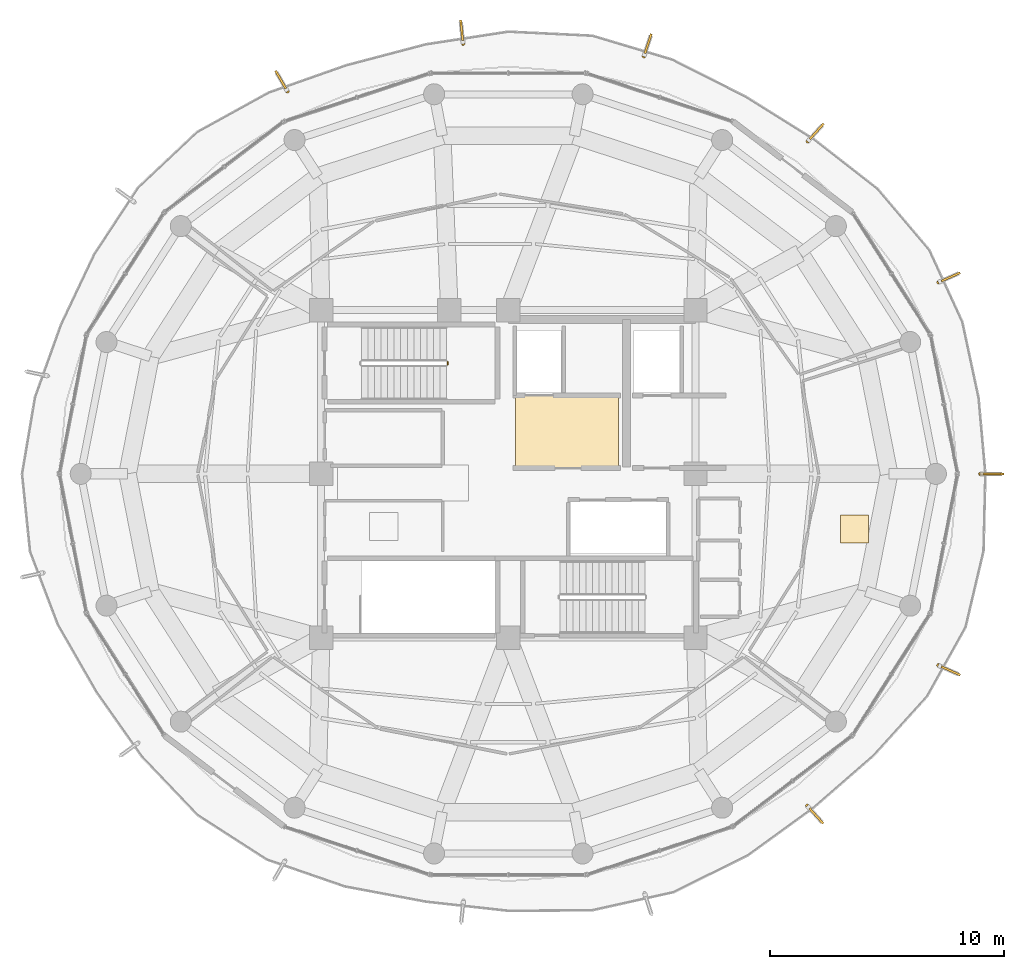
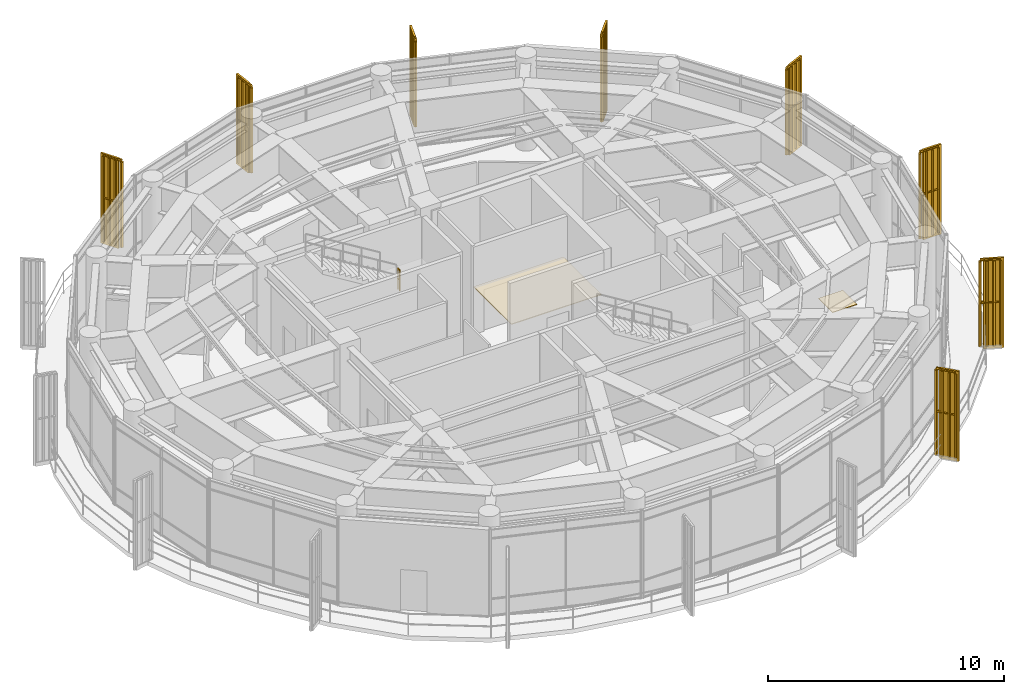
# One storey, part 23 of 23: 9 railings, 8 shading devices, 2 coverings.
"""IFC4 building model written with IfcOpenShell, lengths in metres."""

from ifc_helpers import new_model, si_unit, direction, frame, origin, origin_2d, place, context, subcontext, project, spatial, polyline, rectangle, outline, extrude, source, transform, mapped, material, layer, layer_set, type_object, element, save


model = new_model("IFC4")

# Units and contexts
model_context = context("Model", 3, precision=1e-05, world=origin(), true_north=direction((0.0, 1.0)))
body_context = subcontext(model_context, "Body", "Model", "MODEL_VIEW")
ifc_project = project(units=[si_unit("LENGTHUNIT", "METRE"), si_unit("AREAUNIT", "SQUARE_METRE"), si_unit("VOLUMEUNIT", "CUBIC_METRE"), si_unit("PLANEANGLEUNIT", "RADIAN"), si_unit("MASSUNIT", "GRAM", prefix="KILO")], contexts=[model_context])

# Site, building, storey
site_placement = place(None, origin())
site = spatial("IfcSite", under=ifc_project, at=site_placement, CompositionType="ELEMENT")
building_placement = place(site_placement, origin())
building = spatial("IfcBuilding", under=site, at=building_placement, Name="Kelanora Arch Commons", CompositionType="ELEMENT")
storey_placement = place(building_placement, frame((0.0, 0.0, 293.699951171875)))
storey = spatial("IfcBuildingStorey", under=building, at=storey_placement, Name="L75", CompositionType="ELEMENT", Elevation=293.699951171875)

# Railings
ifc_material_1 = material(Name="Anodised bronze vertical shading fin rib assembly")
railing_type_1 = type_object("IfcRailingType", Name="RAIL-FIN-BRZ", PredefinedType="BALUSTRADE", material=ifc_material_1)
railing_1_placement = place(storey_placement, frame((94.1708984375, 58.0, -0.02001953125)))
element("IfcRailing", 1, at=railing_1_placement, inside=storey, type_object=railing_type_1, Name="Sweeping Bronze Vertical Fin Blade L75-00", PredefinedType="BALUSTRADE", context=body_context, shape_type="SweptSolid", body=[
    extrude(outline(polyline([(0.06982421875, 0.0), (0.034912109375, 0.060546875), (-0.034912109375, 0.060546875), (-0.06982421875, 0.0), (-0.034912109375, -0.060546875), (0.034912109375, -0.060546875), (0.06982421875, 0.0)])), frame((0.0, 0.0, 4.47021484375), z_axis=(1.0, 0.0, 0.0), x_axis=(0.0, 1.0, 0.0)), (0.0, 0.0, 1.0), 0.8798828125),
    extrude(outline(polyline([(0.06982421875, 0.0), (0.034912109375, 0.060546875), (-0.034912109375, 0.060546875), (-0.06982421875, 0.0), (-0.034912109375, -0.060546875), (0.034912109375, -0.060546875), (0.06982421875, 0.0)])), frame((0.0, 0.0, 2.27001953125), z_axis=(1.0, 0.0, 0.0), x_axis=(0.0, 1.0, 0.0)), (0.0, 0.0, 1.0), 0.8798828125),
    extrude(outline(polyline([(0.080078125, 0.0), (0.0400390625, 0.0693359375), (-0.0400390625, 0.0693359375), (-0.080078125, 0.0), (-0.0400390625, -0.0693359375), (0.0400390625, -0.0693359375), (0.080078125, 0.0)])), origin(), (0.0, 0.0, 1.0), 4.400146484375),
    extrude(outline(polyline([(0.080078125, 0.0), (0.0400390625, 0.0693359375), (-0.0400390625, 0.0693359375), (-0.080078125, 0.0), (-0.0400390625, -0.0693359375), (0.0400390625, -0.0693359375), (0.080078125, 0.0)])), frame((0.293212890625, 0.0, 0.0)), (0.0, 0.0, 1.0), 4.400146484375),
    extrude(outline(polyline([(0.080078125, 0.0), (0.0400390625, 0.0693359375), (-0.0400390625, 0.0693359375), (-0.080078125, 0.0), (-0.0400390625, -0.0693359375), (0.0400390625, -0.0693359375), (0.080078125, 0.0)])), frame((0.586669921875, 0.0, 0.0)), (0.0, 0.0, 1.0), 4.400146484375),
    extrude(outline(polyline([(0.080078125, 0.0), (0.0400390625, 0.0693359375), (-0.0400390625, 0.0693359375), (-0.080078125, 0.0), (-0.0400390625, -0.0693359375), (0.0400390625, -0.0693359375), (0.080078125, 0.0)])), frame((0.8798828125, 0.0, 0.0)), (0.0, 0.0, 1.0), 4.400146484375),
])
railing_2_placement = place(storey_placement, frame((92.38720703125, 66.1865234375, -0.02001953125)))
element("IfcRailing", 2, at=railing_2_placement, inside=storey, type_object=railing_type_1, Name="Sweeping Bronze Vertical Fin Blade L75-01", PredefinedType="BALUSTRADE", context=body_context, shape_type="SweptSolid", body=[
    extrude(outline(polyline([(0.06982421875, 0.0), (0.034912109375, 0.060546875), (-0.034912109375, 0.060546875), (-0.06982421875, 0.0), (-0.034912109375, -0.060546875), (0.034912109375, -0.060546875), (0.06982421875, 0.0)])), frame((0.0, 0.0, 4.47021484375), z_axis=(0.913559688849, 0.406704677757, 0.0), x_axis=(-0.406704677757, 0.913559688849, 0.0)), (0.0, 0.0, 1.0), 0.880126953125),
    extrude(outline(polyline([(0.06982421875, 0.0), (0.034912109375, 0.060546875), (-0.034912109375, 0.060546875), (-0.06982421875, 0.0), (-0.034912109375, -0.060546875), (0.034912109375, -0.060546875), (0.06982421875, 0.0)])), frame((0.0, 0.0, 2.27001953125), z_axis=(0.913559688849, 0.406704677757, 0.0), x_axis=(-0.406704677757, 0.913559688849, 0.0)), (0.0, 0.0, 1.0), 0.880126953125),
    extrude(outline(polyline([(0.080078125, 0.0), (0.0400390625, 0.0693359375), (-0.0400390625, 0.0693359375), (-0.080078125, 0.0), (-0.0400390625, -0.0693359375), (0.0400390625, -0.0693359375), (0.080078125, 0.0)])), origin(), (0.0, 0.0, 1.0), 4.400146484375),
    extrude(outline(polyline([(0.080078125, 0.0), (0.0400390625, 0.0693359375), (-0.0400390625, 0.0693359375), (-0.080078125, 0.0), (-0.0400390625, -0.0693359375), (0.0400390625, -0.0693359375), (0.080078125, 0.0)])), frame((0.26806640625, 0.119384765625, 0.0)), (0.0, 0.0, 1.0), 4.400146484375),
    extrude(outline(polyline([(0.080078125, 0.0), (0.0400390625, 0.0693359375), (-0.0400390625, 0.0693359375), (-0.080078125, 0.0), (-0.0400390625, -0.0693359375), (0.0400390625, -0.0693359375), (0.080078125, 0.0)])), frame((0.535888671875, 0.238525390625, 0.0)), (0.0, 0.0, 1.0), 4.400146484375),
    extrude(outline(polyline([(0.080078125, 0.0), (0.0400390625, 0.0693359375), (-0.0400390625, 0.0693359375), (-0.080078125, 0.0), (-0.0400390625, -0.0693359375), (0.0400390625, -0.0693359375), (0.080078125, 0.0)])), frame((0.803955078125, 0.35791015625, 0.0)), (0.0, 0.0, 1.0), 4.400146484375),
])
railing_3_placement = place(storey_placement, frame((86.798583984375, 72.214111328125, -0.02001953125)))
element("IfcRailing", 3, at=railing_3_placement, inside=storey, type_object=railing_type_1, Name="Sweeping Bronze Vertical Fin Blade L75-02", PredefinedType="BALUSTRADE", context=body_context, shape_type="SweptSolid", body=[
    extrude(outline(polyline([(0.06982421875, 0.0), (0.034912109375, 0.060546875), (-0.034912109375, 0.060546875), (-0.06982421875, 0.0), (-0.034912109375, -0.060546875), (0.034912109375, -0.060546875), (0.06982421875, 0.0)])), frame((0.0, 0.0, 4.47021484375), z_axis=(0.669102656662, 0.743169990546, 0.0), x_axis=(-0.743169990546, 0.669102656662, 0.0)), (0.0, 0.0, 1.0), 0.880126953125),
    extrude(outline(polyline([(0.06982421875, 0.0), (0.034912109375, 0.060546875), (-0.034912109375, 0.060546875), (-0.06982421875, 0.0), (-0.034912109375, -0.060546875), (0.034912109375, -0.060546875), (0.06982421875, 0.0)])), frame((0.0, 0.0, 2.27001953125), z_axis=(0.669102656662, 0.743169990546, 0.0), x_axis=(-0.743169990546, 0.669102656662, 0.0)), (0.0, 0.0, 1.0), 0.880126953125),
    extrude(outline(polyline([(0.080078125, 0.0), (0.0400390625, 0.0693359375), (-0.0400390625, 0.0693359375), (-0.080078125, 0.0), (-0.0400390625, -0.0693359375), (0.0400390625, -0.0693359375), (0.080078125, 0.0)])), origin(), (0.0, 0.0, 1.0), 4.400146484375),
    extrude(outline(polyline([(0.080078125, 0.0), (0.0400390625, 0.0693359375), (-0.0400390625, 0.0693359375), (-0.080078125, 0.0), (-0.0400390625, -0.0693359375), (0.0400390625, -0.0693359375), (0.080078125, 0.0)])), frame((0.1962890625, 0.218017578125, 0.0)), (0.0, 0.0, 1.0), 4.400146484375),
    extrude(outline(polyline([(0.080078125, 0.0), (0.0400390625, 0.0693359375), (-0.0400390625, 0.0693359375), (-0.080078125, 0.0), (-0.0400390625, -0.0693359375), (0.0400390625, -0.0693359375), (0.080078125, 0.0)])), frame((0.392578125, 0.43603515625, 0.0)), (0.0, 0.0, 1.0), 4.400146484375),
    extrude(outline(polyline([(0.080078125, 0.0), (0.0400390625, 0.0693359375), (-0.0400390625, 0.0693359375), (-0.080078125, 0.0), (-0.0400390625, -0.0693359375), (0.0400390625, -0.0693359375), (0.080078125, 0.0)])), frame((0.5888671875, 0.654052734375, 0.0)), (0.0, 0.0, 1.0), 4.400146484375),
])
railing_4_placement = place(storey_placement, frame((79.79736328125, 75.842529296875, -0.02001953125)))
element("IfcRailing", 4, at=railing_4_placement, inside=storey, type_object=railing_type_1, Name="Sweeping Bronze Vertical Fin Blade L75-03", PredefinedType="BALUSTRADE", context=body_context, shape_type="SweptSolid", body=[
    extrude(outline(polyline([(0.06982421875, 0.0), (0.034912109375, 0.060546875), (-0.034912109375, 0.060546875), (-0.06982421875, 0.0), (-0.034912109375, -0.060546875), (0.034912109375, -0.060546875), (0.06982421875, 0.0)])), frame((0.0, 0.0, 4.47021484375), z_axis=(0.309060979314, 0.951042223598, 0.0), x_axis=(-0.951042223598, 0.309060979314, 0.0)), (0.0, 0.0, 1.0), 0.8798828125),
    extrude(outline(polyline([(0.06982421875, 0.0), (0.034912109375, 0.060546875), (-0.034912109375, 0.060546875), (-0.06982421875, 0.0), (-0.034912109375, -0.060546875), (0.034912109375, -0.060546875), (0.06982421875, 0.0)])), frame((0.0, 0.0, 2.27001953125), z_axis=(0.309060979314, 0.951042223598, 0.0), x_axis=(-0.951042223598, 0.309060979314, 0.0)), (0.0, 0.0, 1.0), 0.8798828125),
    extrude(outline(polyline([(0.080078125, 0.0), (0.0400390625, 0.0693359375), (-0.0400390625, 0.0693359375), (-0.080078125, 0.0), (-0.0400390625, -0.0693359375), (0.0400390625, -0.0693359375), (0.080078125, 0.0)])), origin(), (0.0, 0.0, 1.0), 4.400146484375),
    extrude(outline(polyline([(0.080078125, 0.0), (0.0400390625, 0.0693359375), (-0.0400390625, 0.0693359375), (-0.080078125, 0.0), (-0.0400390625, -0.0693359375), (0.0400390625, -0.0693359375), (0.080078125, 0.0)])), frame((0.090576171875, 0.279052734375, 0.0)), (0.0, 0.0, 1.0), 4.400146484375),
    extrude(outline(polyline([(0.080078125, 0.0), (0.0400390625, 0.0693359375), (-0.0400390625, 0.0693359375), (-0.080078125, 0.0), (-0.0400390625, -0.0693359375), (0.0400390625, -0.0693359375), (0.080078125, 0.0)])), frame((0.181396484375, 0.557861328125, 0.0)), (0.0, 0.0, 1.0), 4.400146484375),
    extrude(outline(polyline([(0.080078125, 0.0), (0.0400390625, 0.0693359375), (-0.0400390625, 0.0693359375), (-0.080078125, 0.0), (-0.0400390625, -0.0693359375), (0.0400390625, -0.0693359375), (0.080078125, 0.0)])), frame((0.27197265625, 0.8369140625, 0.0)), (0.0, 0.0, 1.0), 4.400146484375),
])
railing_5_placement = place(storey_placement, frame((72.067626953125, 76.38525390625, -0.02001953125)))
element("IfcRailing", 5, at=railing_5_placement, inside=storey, type_object=railing_type_1, Name="Sweeping Bronze Vertical Fin Blade L75-04", PredefinedType="BALUSTRADE", context=body_context, shape_type="SweptSolid", body=[
    extrude(outline(polyline([(0.06982421875, 0.0), (0.034912109375, 0.060546875), (-0.034912109375, 0.060546875), (-0.06982421875, 0.0), (-0.034912109375, -0.060546875), (0.034912109375, -0.060546875), (0.06982421875, 0.0)])), frame((0.0, 0.0, 4.47021484375), z_axis=(-0.104583700208, 0.994516088181, 0.0), x_axis=(-0.994516088181, -0.104583700208, 0.0)), (0.0, 0.0, 1.0), 0.880126953125),
    extrude(outline(polyline([(0.06982421875, 0.0), (0.034912109375, 0.060546875), (-0.034912109375, 0.060546875), (-0.06982421875, 0.0), (-0.034912109375, -0.060546875), (0.034912109375, -0.060546875), (0.06982421875, 0.0)])), frame((0.0, 0.0, 2.27001953125), z_axis=(-0.104583700208, 0.994516088181, 0.0), x_axis=(-0.994516088181, -0.104583700208, 0.0)), (0.0, 0.0, 1.0), 0.880126953125),
    extrude(outline(polyline([(0.080078125, 0.0), (0.0400390625, 0.0693359375), (-0.0400390625, 0.0693359375), (-0.080078125, 0.0), (-0.0400390625, -0.0693359375), (0.0400390625, -0.0693359375), (0.080078125, 0.0)])), origin(), (0.0, 0.0, 1.0), 4.400146484375),
    extrude(outline(polyline([(0.080078125, 0.0), (0.0400390625, 0.0693359375), (-0.0400390625, 0.0693359375), (-0.080078125, 0.0), (-0.0400390625, -0.0693359375), (0.0400390625, -0.0693359375), (0.080078125, 0.0)])), frame((-0.03076171875, 0.291748046875, 0.0)), (0.0, 0.0, 1.0), 4.400146484375),
    extrude(outline(polyline([(0.080078125, 0.0), (0.0400390625, 0.0693359375), (-0.0400390625, 0.0693359375), (-0.080078125, 0.0), (-0.0400390625, -0.0693359375), (0.0400390625, -0.0693359375), (0.080078125, 0.0)])), frame((-0.061279296875, 0.58349609375, 0.0)), (0.0, 0.0, 1.0), 4.400146484375),
    extrude(outline(polyline([(0.080078125, 0.0), (0.0400390625, 0.0693359375), (-0.0400390625, 0.0693359375), (-0.080078125, 0.0), (-0.0400390625, -0.0693359375), (0.0400390625, -0.0693359375), (0.080078125, 0.0)])), frame((-0.092041015625, 0.875244140625, 0.0)), (0.0, 0.0, 1.0), 4.400146484375),
])
railing_6_placement = place(storey_placement, frame((64.557861328125, 74.354248046875, -0.02001953125)))
element("IfcRailing", 6, at=railing_6_placement, inside=storey, type_object=railing_type_1, Name="Sweeping Bronze Vertical Fin Blade L75-05", PredefinedType="BALUSTRADE", context=body_context, shape_type="SweptSolid", body=[
    extrude(outline(polyline([(0.06982421875, 0.0), (0.034912109375, 0.060546875), (-0.034912109375, 0.060546875), (-0.06982421875, 0.0), (-0.034912109375, -0.060546875), (0.034912109375, -0.060546875), (0.06982421875, 0.0)])), frame((0.0, 0.0, 4.47021484375), z_axis=(-0.500018690203, 0.866014612722, 0.0), x_axis=(-0.866014612722, -0.500018690203, 0.0)), (0.0, 0.0, 1.0), 0.8798828125),
    extrude(outline(polyline([(0.06982421875, 0.0), (0.034912109375, 0.060546875), (-0.034912109375, 0.060546875), (-0.06982421875, 0.0), (-0.034912109375, -0.060546875), (0.034912109375, -0.060546875), (0.06982421875, 0.0)])), frame((0.0, 0.0, 2.27001953125), z_axis=(-0.500018690203, 0.866014612722, 0.0), x_axis=(-0.866014612722, -0.500018690203, 0.0)), (0.0, 0.0, 1.0), 0.8798828125),
    extrude(outline(polyline([(0.080078125, 0.0), (0.0400390625, 0.0693359375), (-0.0400390625, 0.0693359375), (-0.080078125, 0.0), (-0.0400390625, -0.0693359375), (0.0400390625, -0.0693359375), (0.080078125, 0.0)])), origin(), (0.0, 0.0, 1.0), 4.400146484375),
    extrude(outline(polyline([(0.080078125, 0.0), (0.0400390625, 0.0693359375), (-0.0400390625, 0.0693359375), (-0.080078125, 0.0), (-0.0400390625, -0.0693359375), (0.0400390625, -0.0693359375), (0.080078125, 0.0)])), frame((-0.146728515625, 0.25390625, 0.0)), (0.0, 0.0, 1.0), 4.400146484375),
    extrude(outline(polyline([(0.080078125, 0.0), (0.0400390625, 0.0693359375), (-0.0400390625, 0.0693359375), (-0.080078125, 0.0), (-0.0400390625, -0.0693359375), (0.0400390625, -0.0693359375), (0.080078125, 0.0)])), frame((-0.293212890625, 0.508056640625, 0.0)), (0.0, 0.0, 1.0), 4.400146484375),
    extrude(outline(polyline([(0.080078125, 0.0), (0.0400390625, 0.0693359375), (-0.0400390625, 0.0693359375), (-0.080078125, 0.0), (-0.0400390625, -0.0693359375), (0.0400390625, -0.0693359375), (0.080078125, 0.0)])), frame((-0.43994140625, 0.761962890625, 0.0)), (0.0, 0.0, 1.0), 4.400146484375),
])
railing_7_placement = place(storey_placement, frame((86.778564453125, 43.80810546875, -0.02001953125)))
element("IfcRailing", 7, at=railing_7_placement, inside=storey, type_object=railing_type_1, Name="Sweeping Bronze Vertical Fin Blade L75-13", PredefinedType="BALUSTRADE", context=body_context, shape_type="SweptSolid", body=[
    extrude(outline(polyline([(0.06982421875, 0.0), (0.034912109375, 0.060546875), (-0.034912109375, 0.060546875), (-0.06982421875, 0.0), (-0.034912109375, -0.060546875), (0.034912109375, -0.060546875), (0.06982421875, 0.0)])), frame((0.0, 0.0, 4.47021484375), z_axis=(0.669102656662, -0.743169990546, 0.0), x_axis=(0.743169990546, 0.669102656662, 0.0)), (0.0, 0.0, 1.0), 0.880126953125),
    extrude(outline(polyline([(0.06982421875, 0.0), (0.034912109375, 0.060546875), (-0.034912109375, 0.060546875), (-0.06982421875, 0.0), (-0.034912109375, -0.060546875), (0.034912109375, -0.060546875), (0.06982421875, 0.0)])), frame((0.0, 0.0, 2.27001953125), z_axis=(0.669102656662, -0.743169990546, 0.0), x_axis=(0.743169990546, 0.669102656662, 0.0)), (0.0, 0.0, 1.0), 0.880126953125),
    extrude(outline(polyline([(0.080078125, 0.0), (0.0400390625, 0.0693359375), (-0.0400390625, 0.0693359375), (-0.080078125, 0.0), (-0.0400390625, -0.0693359375), (0.0400390625, -0.0693359375), (0.080078125, 0.0)])), origin(), (0.0, 0.0, 1.0), 4.400146484375),
    extrude(outline(polyline([(0.080078125, 0.0), (0.0400390625, 0.0693359375), (-0.0400390625, 0.0693359375), (-0.080078125, 0.0), (-0.0400390625, -0.0693359375), (0.0400390625, -0.0693359375), (0.080078125, 0.0)])), frame((0.1962890625, -0.218017578125, 0.0)), (0.0, 0.0, 1.0), 4.400146484375),
    extrude(outline(polyline([(0.080078125, 0.0), (0.0400390625, 0.0693359375), (-0.0400390625, 0.0693359375), (-0.080078125, 0.0), (-0.0400390625, -0.0693359375), (0.0400390625, -0.0693359375), (0.080078125, 0.0)])), frame((0.392578125, -0.43603515625, 0.0)), (0.0, 0.0, 1.0), 4.400146484375),
    extrude(outline(polyline([(0.080078125, 0.0), (0.0400390625, 0.0693359375), (-0.0400390625, 0.0693359375), (-0.080078125, 0.0), (-0.0400390625, -0.0693359375), (0.0400390625, -0.0693359375), (0.080078125, 0.0)])), frame((0.5888671875, -0.654052734375, 0.0)), (0.0, 0.0, 1.0), 4.400146484375),
])
railing_8_placement = place(storey_placement, frame((92.38330078125, 49.815185546875, -0.02001953125)))
element("IfcRailing", 8, at=railing_8_placement, inside=storey, type_object=railing_type_1, Name="Sweeping Bronze Vertical Fin Blade L75-14", PredefinedType="BALUSTRADE", context=body_context, shape_type="SweptSolid", body=[
    extrude(outline(polyline([(0.06982421875, 0.0), (0.034912109375, 0.060546875), (-0.034912109375, 0.060546875), (-0.06982421875, 0.0), (-0.034912109375, -0.060546875), (0.034912109375, -0.060546875), (0.06982421875, 0.0)])), frame((0.0, 0.0, 4.47021484375), z_axis=(0.913513782933, -0.406807778184, 0.0), x_axis=(0.406807778184, 0.913513782933, 0.0)), (0.0, 0.0, 1.0), 0.8798828125),
    extrude(outline(polyline([(0.06982421875, 0.0), (0.034912109375, 0.060546875), (-0.034912109375, 0.060546875), (-0.06982421875, 0.0), (-0.034912109375, -0.060546875), (0.034912109375, -0.060546875), (0.06982421875, 0.0)])), frame((0.0, 0.0, 2.27001953125), z_axis=(0.913513782933, -0.406807778184, 0.0), x_axis=(0.406807778184, 0.913513782933, 0.0)), (0.0, 0.0, 1.0), 0.8798828125),
    extrude(outline(polyline([(0.080078125, 0.0), (0.0400390625, 0.0693359375), (-0.0400390625, 0.0693359375), (-0.080078125, 0.0), (-0.0400390625, -0.0693359375), (0.0400390625, -0.0693359375), (0.080078125, 0.0)])), origin(), (0.0, 0.0, 1.0), 4.400146484375),
    extrude(outline(polyline([(0.080078125, 0.0), (0.0400390625, 0.0693359375), (-0.0400390625, 0.0693359375), (-0.080078125, 0.0), (-0.0400390625, -0.0693359375), (0.0400390625, -0.0693359375), (0.080078125, 0.0)])), frame((0.267822265625, -0.119384765625, 0.0)), (0.0, 0.0, 1.0), 4.400146484375),
    extrude(outline(polyline([(0.080078125, 0.0), (0.0400390625, 0.0693359375), (-0.0400390625, 0.0693359375), (-0.080078125, 0.0), (-0.0400390625, -0.0693359375), (0.0400390625, -0.0693359375), (0.080078125, 0.0)])), frame((0.535888671875, -0.238525390625, 0.0)), (0.0, 0.0, 1.0), 4.400146484375),
    extrude(outline(polyline([(0.080078125, 0.0), (0.0400390625, 0.0693359375), (-0.0400390625, 0.0693359375), (-0.080078125, 0.0), (-0.0400390625, -0.0693359375), (0.0400390625, -0.0693359375), (0.080078125, 0.0)])), frame((0.8037109375, -0.35791015625, 0.0)), (0.0, 0.0, 1.0), 4.400146484375),
])
ifc_material_2 = material(Name="Painted steel stair well guard", Category="steel")
railing_type_2 = type_object("IfcRailingType", Name="RAIL-STAIR-GRD", PredefinedType="GUARDRAIL", material=ifc_material_2)
railing_9_placement = place(storey_placement, frame((71.409912109375, 62.659912109375, 2.400146484375)))
element("IfcRailing", 9, at=railing_9_placement, inside=storey, type_object=railing_type_2, Name="L75 ST-T1 stair guard 2", PredefinedType="GUARDRAIL", context=body_context, shape_type="SweptSolid", body=[
    extrude(outline(polyline([(0.02392578125, 0.0), (0.011962890625, 0.020751953125), (-0.011962890625, 0.020751953125), (-0.02392578125, 0.0), (-0.011962890625, -0.020751953125), (0.011962890625, -0.020751953125), (0.02392578125, 0.0)])), frame((0.0, 0.0, 1.076171875), z_axis=(0.0, 1.0, 0.0), x_axis=(-1.0, 0.0, 0.0)), (0.0, 0.0, 1.0), 0.150146484375),
    extrude(outline(polyline([(0.02392578125, 0.0), (0.011962890625, 0.020751953125), (-0.011962890625, 0.020751953125), (-0.02392578125, 0.0), (-0.011962890625, -0.020751953125), (0.011962890625, -0.020751953125), (0.02392578125, 0.0)])), frame((0.0, 0.0, 0.550048828125), z_axis=(0.0, 1.0, 0.0), x_axis=(-1.0, 0.0, 0.0)), (0.0, 0.0, 1.0), 0.150146484375),
    extrude(outline(polyline([(0.02099609375, 0.0), (0.010498046875, 0.01806640625), (-0.010498046875, 0.01806640625), (-0.02099609375, 0.0), (-0.010498046875, -0.01806640625), (0.010498046875, -0.01806640625), (0.02099609375, 0.0)])), origin(), (0.0, 0.0, 1.0), 1.052001953125),
    extrude(outline(polyline([(0.02099609375, 0.0), (0.010498046875, 0.01806640625), (-0.010498046875, 0.01806640625), (-0.02099609375, 0.0), (-0.010498046875, -0.01806640625), (0.010498046875, -0.01806640625), (0.02099609375, 0.0)])), frame((0.0, 0.150146484375, 0.0)), (0.0, 0.0, 1.0), 1.052001953125),
])

# Shading devices
ifc_material_3 = material(Name="Terracotta ceramic-clad extruded aluminium fin", Category="masonry")
shading_device_type = type_object("IfcShadingDeviceType", Name="SHD-FIN-FLARE", PredefinedType="USERDEFINED", material=ifc_material_3)
shared_shape_1 = source(origin(), body_context, "Body", "SweptSolid", [
    extrude(rectangle(XDim=0.8798828125, YDim=0.090087890625, at=origin_2d()), origin(), (0.0, 0.0, 1.0), 4.659912109375),
])
for number, where, z_axis, x_axis, name in (
    (10, (94.750732421875, 58.0, -0.14013671875), (0.0, 0.0, 1.0), (1.0, 0.0, 0.0), "Sweeping Terracotta Fin L75-00"),
    (11, (92.9169921875, 66.42236328125, -0.14013671875), (0.0, 0.0, 1.0), (0.913545457643, 0.406736643076, 0.0), "Sweeping Terracotta Fin L75-01"),
    (12, (87.186767578125, 72.645263671875, -0.14013671875), (0.0, 0.0, 1.0), (0.669130606359, 0.743144825477, 0.0), "Sweeping Terracotta Fin L75-02"),
    (13, (79.9765625, 76.394287109375, -0.14013671875), (0.0, 0.0, 1.0), (0.309016994375, 0.951056516295, 0.0), "Sweeping Terracotta Fin L75-03"),
    (14, (72.007080078125, 76.962158203125, -0.14013671875), (0.0, 0.0, 1.0), (-0.104528463268, 0.994521895368, 0.0), "Sweeping Terracotta Fin L75-04"),
    (15, (64.267822265625, 74.8564453125, -0.14013671875), (0.0, 0.0, 1.0), (-0.5, 0.866025403784, 0.0), "Sweeping Terracotta Fin L75-05"),
    (16, (87.166748046875, 43.376953125, -0.14013671875), (0.0, 0.0, 1.0), (0.669130606359, -0.743144825477, 0.0), "Sweeping Terracotta Fin L75-13"),
    (17, (92.9130859375, 49.579345703125, -0.14013671875), (0.0, 0.0, 1.0), (0.913545457643, -0.406736643076, 0.0), "Sweeping Terracotta Fin L75-14"),
):
    element("IfcShadingDevice", number, at=place(storey_placement, frame(where, z_axis=z_axis, x_axis=x_axis)), inside=storey, type_object=shading_device_type, Name=name, ObjectType="FIN", PredefinedType="USERDEFINED", context=body_context, shape_type="MappedRepresentation", body=[
        mapped(shared_shape_1, transform((0.0, 0.0, 0.0), scale=1.0)),
    ])

# Coverings
ifc_material_4 = material(Name="Polished local granite terrazzo flooring", Category="masonry")
ifc_layer_1 = layer(ifc_material_4, 0.030029296875)
ifc_layer_set_1 = layer_set([ifc_layer_1], Name="Polished local granite terrazzo flooring")
covering_type_1 = type_object("IfcCoveringType", Name="COV-FLR-TER", PredefinedType="FLOORING", material=ifc_layer_set_1)
shared_shape_2 = source(origin(), body_context, "Body", "SweptSolid", [
    extrude(rectangle(XDim=1.199951171875, YDim=1.199951171875, at=origin_2d()), origin(), (0.0, 0.0, 1.0), 0.030029296875),
])
covering_1_placement = place(storey_placement, frame((88.79052734375, 55.64208984375, 0.0), z_axis=(0.0, 0.0, 1.0), x_axis=(1.0, 0.0, 0.0)))
element("IfcCovering", 18, at=covering_1_placement, inside=storey, type_object=covering_type_1, Name="Sky Tea Lounge and Tasting Bar Terrazzo Finish", PredefinedType="FLOORING", context=body_context, shape_type="MappedRepresentation", body=[
    mapped(shared_shape_2, transform((0.0, 0.0, 0.0), scale=1.0)),
])
ifc_material_5 = material(Name="Perforated acoustic mineral-fibre ceiling")
ifc_layer_2 = layer(ifc_material_5, 0.0400390625)
ifc_layer_set_2 = layer_set([ifc_layer_2], Name="Perforated acoustic mineral-fibre ceiling")
covering_type_2 = type_object("IfcCoveringType", Name="COV-CEIL-AC", PredefinedType="CEILING", material=ifc_layer_set_2)
shared_shape_3 = source(origin(), body_context, "Body", "SweptSolid", [
    extrude(rectangle(XDim=4.39990234375, YDim=3.199951171875, at=origin_2d()), origin(), (0.0, 0.0, 1.0), 0.0400390625),
])
covering_2_placement = place(storey_placement, frame((76.5, 59.800048828125, 2.330078125), z_axis=(0.0, 0.0, 1.0), x_axis=(1.0, 0.0, 0.0)))
element("IfcCovering", 19, at=covering_2_placement, inside=storey, type_object=covering_type_2, Name="Firefighting Lobby Acoustic Ceiling L75", PredefinedType="CEILING", context=body_context, shape_type="MappedRepresentation", body=[
    mapped(shared_shape_3, transform((0.0, 0.0, 0.0), scale=1.0)),
])

save(model, "model.ifc")
